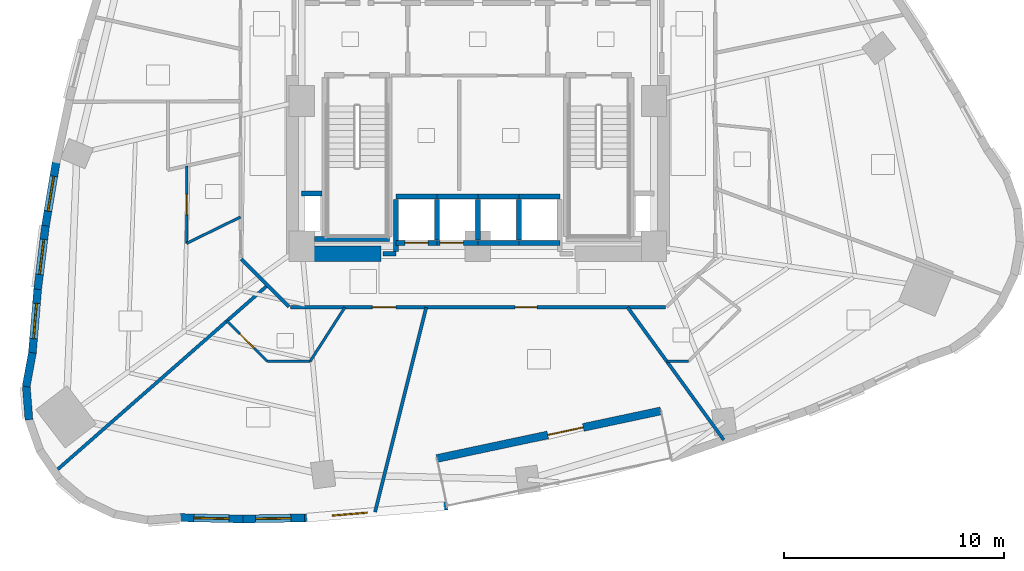
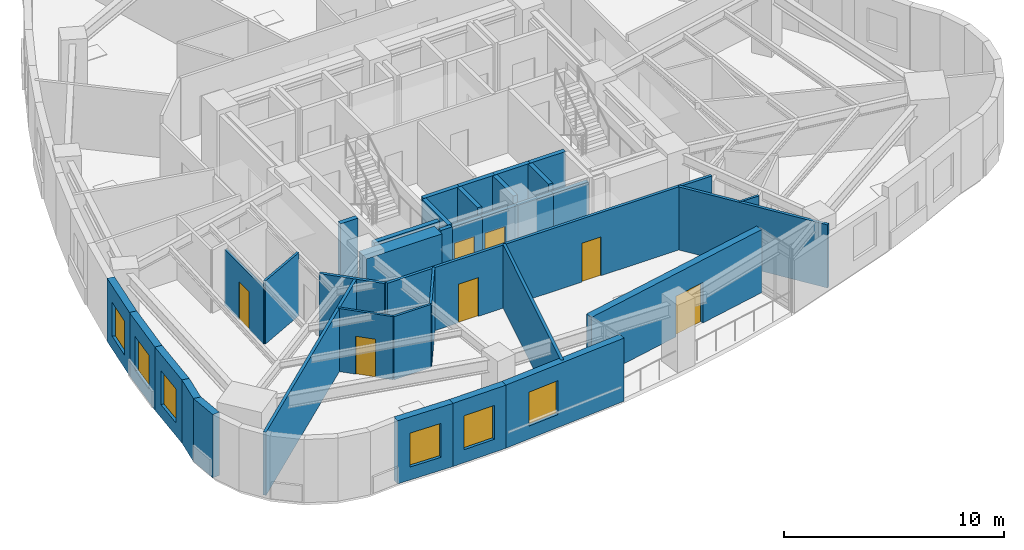
# One storey, part 5 of 12: 36 walls, 7 doors, 6 windows, 13 openings.
"""IFC4 building model written with IfcOpenShell, lengths in metres."""

from ifc_helpers import new_model, si_unit, direction, frame, frame_2d, origin, place, context, subcontext, project, spatial, rectangle, extrude, material, layer, layer_set, type_object, element, fill, save


model = new_model("IFC4")

# Units and contexts
model_context = context("Model", 3, precision=1e-05, world=origin(), true_north=direction((0.0, 1.0)))
body_context = subcontext(model_context, "Body", "Model", "MODEL_VIEW")
ifc_project = project(units=[si_unit("LENGTHUNIT", "METRE"), si_unit("AREAUNIT", "SQUARE_METRE"), si_unit("VOLUMEUNIT", "CUBIC_METRE"), si_unit("PLANEANGLEUNIT", "RADIAN"), si_unit("MASSUNIT", "GRAM", prefix="KILO")], contexts=[model_context])

# Site, building, storey
site_placement = place(None, origin())
site = spatial("IfcSite", under=ifc_project, at=site_placement, CompositionType="ELEMENT")
building_placement = place(site_placement, origin())
building = spatial("IfcBuilding", under=site, at=building_placement, Name="Ndelora Gate Hotel", CompositionType="ELEMENT")
storey_placement = place(building_placement, frame((0.0, 0.0, 75.5)))
storey = spatial("IfcBuildingStorey", under=building, at=storey_placement, Name="L18", CompositionType="ELEMENT", Elevation=75.5)

# Wall, opening, door
ifc_material_1 = material(Name="Clay Brick Masonry", Category="masonry")
ifc_layer_1 = layer(ifc_material_1, 0.360107421875)
ifc_layer_set_1 = layer_set([ifc_layer_1], Name="Clay Brick Masonry")
wall_type_1 = type_object("IfcWallType", Name="WL-BRICK-360", PredefinedType="SOLIDWALL", material=ifc_layer_set_1)
wall_1_placement = place(storey_placement, frame((8.309326171875, -14.081787109375, 0.0), z_axis=(0.0, 0.0, 1.0), x_axis=(-0.978145663611, -0.207920804056, 0.0)))
wall_1 = element("IfcWall", 1, at=wall_1_placement, inside=storey, type_object=wall_type_1, Name="L18 Sky-Garden Loggia Rear Brick Wall", PredefinedType="SOLIDWALL", context=body_context, shape_type="SweptSolid", body=[
    extrude(rectangle(XDim=10.39990234375, YDim=0.360107421875, at=frame_2d((5.199951171875, 0.0))), origin(), (0.0, 0.0, 1.0), 3.5),
])
opening_1_placement = place(wall_1_placement, frame((3.60009765625, 0.0, 0.0)))
opening_1 = element("IfcOpeningElement", 2, at=opening_1_placement, cuts=wall_1, Name="Opening TD1", PredefinedType="OPENING", context=body_context, shape_type="SweptSolid", body=[
    extrude(rectangle(XDim=1.64990234375, YDim=2.25, at=frame_2d((0.824951171875, 1.125))), frame((0.0, 0.18994140625, 0.0), z_axis=(0.0, -1.0, 0.0), x_axis=(1.0, 0.0, 0.0)), (0.0, 0.0, 1.0), 0.380126953125),
])
ifc_material_2 = material(Name="Architectural Bronze Glazed Door", Category="metal")
door_type_1 = type_object("IfcDoorType", Name="DR-TER-1650", OperationType="DOUBLE_DOOR_SINGLE_SWING", PredefinedType="DOOR", material=ifc_material_2)
door_1_placement = place(opening_1_placement, origin())
door_1 = element("IfcDoor", 3, at=door_1_placement, inside=storey, type_object=door_type_1, Name="L18 Sky-Garden Terrace Double Door TD1", OperationType="DOUBLE_DOOR_SINGLE_SWING", OverallHeight=2.25, OverallWidth=1.64990234375, PredefinedType="DOOR", context=body_context, shape_type="SweptSolid", body=[
    extrude(rectangle(XDim=1.64990234375, YDim=2.25, at=frame_2d((0.824951171875, 1.125))), frame((0.0, 0.02490234375, 0.0), z_axis=(0.0, -1.0, 0.0), x_axis=(1.0, 0.0, 0.0)), (0.0, 0.0, 1.0), 0.050048828125),
])
fill(opening_1, door_1)

# Wall, opening, window
wall_2_placement = place(storey_placement, frame((-19.6357421875, -5.670654296875, 0.0), z_axis=(0.0, 0.0, 1.0), x_axis=(0.164870141486, 0.986315282476, 0.0)))
wall_2 = element("IfcWall", 4, at=wall_2_placement, inside=storey, type_object=wall_type_1, Name="L18 Tower Brick Pier-and-Spandrel Wall TWR-18", PredefinedType="SOLIDWALL", context=body_context, shape_type="SweptSolid", body=[
    extrude(rectangle(XDim=2.94091796875, YDim=0.360107421875, at=frame_2d((1.470458984375, 0.0))), origin(), (0.0, 0.0, 1.0), 3.5),
])
opening_2_placement = place(wall_2_placement, frame((0.67041015625, 0.0, 0.719970703125)))
opening_2 = element("IfcOpeningElement", 5, at=opening_2_placement, cuts=wall_2, Name="Opening W01", PredefinedType="OPENING", context=body_context, shape_type="SweptSolid", body=[
    extrude(rectangle(XDim=1.60009765625, YDim=1.8798828125, at=frame_2d((0.800048828125, 0.93994140625))), frame((0.0, 0.18994140625, 0.0), z_axis=(0.0, -1.0, 0.0), x_axis=(1.0, 0.0, 0.0)), (0.0, 0.0, 1.0), 0.380126953125),
])
ifc_material_3 = material(Name="Insulated Low-E Double Glazing in Bronze Aluminium Frame", Category="aluminium")
window_type_1 = type_object("IfcWindowType", Name="WN-DEEP-1600", PartitioningType="SINGLE_PANEL", PredefinedType="WINDOW", material=ifc_material_3)
window_1_placement = place(opening_2_placement, origin())
window_1 = element("IfcWindow", 6, at=window_1_placement, inside=storey, type_object=window_type_1, Name="L18 Deep-Set Brick-Pier Window W01", OverallHeight=1.8798828125, OverallWidth=1.60009765625, PartitioningType="SINGLE_PANEL", PredefinedType="WINDOW", context=body_context, shape_type="SweptSolid", body=[
    extrude(rectangle(XDim=1.60009765625, YDim=1.8798828125, at=frame_2d((0.800048828125, 0.93994140625))), frame((0.0, 0.030029296875, 0.0), z_axis=(0.0, -1.0, 0.0), x_axis=(1.0, 0.0, 0.0)), (0.0, 0.0, 1.0), 0.06005859375),
])
fill(opening_2, window_1)

wall_3_placement = place(storey_placement, frame((-19.9951171875, -8.559814453125, 0.0), z_axis=(0.0, 0.0, 1.0), x_axis=(0.123740486397, 0.99231461343, 0.0)))
wall_3 = element("IfcWall", 7, at=wall_3_placement, inside=storey, type_object=wall_type_1, Name="L18 Tower Brick Pier-and-Spandrel Wall TWR-19", PredefinedType="SOLIDWALL", context=body_context, shape_type="SweptSolid", body=[
    extrude(rectangle(XDim=2.96142578125, YDim=0.360107421875, at=frame_2d((1.480712890625, 0.0))), origin(), (0.0, 0.0, 1.0), 3.5),
])
opening_3_placement = place(wall_3_placement, frame((0.6806640625, 0.0, 0.719970703125)))
opening_3 = element("IfcOpeningElement", 8, at=opening_3_placement, cuts=wall_3, Name="Opening W01", PredefinedType="OPENING", context=body_context, shape_type="SweptSolid", body=[
    extrude(rectangle(XDim=1.60009765625, YDim=1.8798828125, at=frame_2d((0.800048828125, 0.93994140625))), frame((0.0, 0.18994140625, 0.0), z_axis=(0.0, -1.0, 0.0), x_axis=(1.0, 0.0, 0.0)), (0.0, 0.0, 1.0), 0.380126953125),
])
window_2_placement = place(opening_3_placement, origin())
window_2 = element("IfcWindow", 9, at=window_2_placement, inside=storey, type_object=window_type_1, Name="L18 Deep-Set Brick-Pier Window W01", OverallHeight=1.8798828125, OverallWidth=1.60009765625, PartitioningType="SINGLE_PANEL", PredefinedType="WINDOW", context=body_context, shape_type="SweptSolid", body=[
    extrude(rectangle(XDim=1.60009765625, YDim=1.8798828125, at=frame_2d((0.800048828125, 0.93994140625))), frame((0.0, 0.030029296875, 0.0), z_axis=(0.0, -1.0, 0.0), x_axis=(1.0, 0.0, 0.0)), (0.0, 0.0, 1.0), 0.06005859375),
])
fill(opening_3, window_2)

wall_4_placement = place(storey_placement, frame((-20.23828125, -11.486572265625, 0.0), z_axis=(0.0, 0.0, 1.0), x_axis=(0.083126652996, 0.996538990487, 0.0)))
wall_4 = element("IfcWall", 10, at=wall_4_placement, inside=storey, type_object=wall_type_1, Name="L18 Tower Brick Pier-and-Spandrel Wall TWR-20", PredefinedType="SOLIDWALL", context=body_context, shape_type="SweptSolid", body=[
    extrude(rectangle(XDim=2.98681640625, YDim=0.360107421875, at=frame_2d((1.493408203125, 0.0))), origin(), (0.0, 0.0, 1.0), 3.5),
])
opening_4_placement = place(wall_4_placement, frame((0.693603515625, 0.0, 0.719970703125)))
opening_4 = element("IfcOpeningElement", 11, at=opening_4_placement, cuts=wall_4, Name="Opening W01", PredefinedType="OPENING", context=body_context, shape_type="SweptSolid", body=[
    extrude(rectangle(XDim=1.60009765625, YDim=1.8798828125, at=frame_2d((0.800048828125, 0.93994140625))), frame((0.0, 0.18994140625, 0.0), z_axis=(0.0, -1.0, 0.0), x_axis=(1.0, 0.0, 0.0)), (0.0, 0.0, 1.0), 0.380126953125),
])
window_3_placement = place(opening_4_placement, origin())
window_3 = element("IfcWindow", 12, at=window_3_placement, inside=storey, type_object=window_type_1, Name="L18 Deep-Set Brick-Pier Window W01", OverallHeight=1.8798828125, OverallWidth=1.60009765625, PartitioningType="SINGLE_PANEL", PredefinedType="WINDOW", context=body_context, shape_type="SweptSolid", body=[
    extrude(rectangle(XDim=1.60009765625, YDim=1.8798828125, at=frame_2d((0.800048828125, 0.93994140625))), frame((0.0, 0.030029296875, 0.0), z_axis=(0.0, -1.0, 0.0), x_axis=(1.0, 0.0, 0.0)), (0.0, 0.0, 1.0), 0.06005859375),
])
fill(opening_4, window_3)

# Walls
for number, where, z_axis, x_axis, name in (
    (13, (-20.516845703125, -12.97509765625, 0.0), (0.0, 0.0, 1.0), (0.18229045082, 0.983244726169, 0.0), "L18 Tower Brick Pier-and-Spandrel Wall TWR-21"),
    (14, (-20.391357421875, -14.48486328125, 0.0), (0.0, 0.0, 1.0), (-0.078510627557, 0.99691327675, 0.0), "L18 Tower Brick Pier-and-Spandrel Wall TWR-22"),
):
    element("IfcWall", number, at=place(storey_placement, frame(where, z_axis=z_axis, x_axis=x_axis)), inside=storey, type_object=wall_type_1, Name=name, PredefinedType="SOLIDWALL", context=body_context, shape_type="SweptSolid", body=[
        extrude(rectangle(XDim=1.564208984375, YDim=0.360107421875, at=frame_2d((0.7822265625, 0.0))), origin(), (0.0, 0.0, 1.0), 3.5),
    ])

# Wall, opening, window
wall_5_placement = place(storey_placement, frame((-10.669921875, -18.99072265625, 0.0), z_axis=(0.0, 0.0, 1.0), x_axis=(-0.999751621908, 0.02228664383, 0.0)))
wall_5 = element("IfcWall", 15, at=wall_5_placement, inside=storey, type_object=wall_type_1, Name="L18 Tower Brick Pier-and-Spandrel Wall TWR-29", PredefinedType="SOLIDWALL", context=body_context, shape_type="SweptSolid", body=[
    extrude(rectangle(XDim=2.8701171875, YDim=0.360107421875, at=frame_2d((1.43505859375, 0.0))), origin(), (0.0, 0.0, 1.0), 3.5),
])
opening_5_placement = place(wall_5_placement, frame((0.635009765625, 0.0, 0.719970703125)))
opening_5 = element("IfcOpeningElement", 16, at=opening_5_placement, cuts=wall_5, Name="Opening W03", PredefinedType="OPENING", context=body_context, shape_type="SweptSolid", body=[
    extrude(rectangle(XDim=1.60009765625, YDim=1.8798828125, at=frame_2d((0.800048828125, 0.93994140625))), frame((0.0, 0.18994140625, 0.0), z_axis=(0.0, -1.0, 0.0), x_axis=(1.0, 0.0, 0.0)), (0.0, 0.0, 1.0), 0.380126953125),
])
window_type_2 = type_object("IfcWindowType", Name="WN-CORN-2100", PartitioningType="SINGLE_PANEL", PredefinedType="WINDOW", material=ifc_material_3)
window_4_placement = place(opening_5_placement, origin())
window_4 = element("IfcWindow", 17, at=window_4_placement, inside=storey, type_object=window_type_2, Name="L18 Deep-Set Brick-Pier Window W03", OverallHeight=1.8798828125, OverallWidth=1.60009765625, PartitioningType="SINGLE_PANEL", PredefinedType="WINDOW", context=body_context, shape_type="SweptSolid", body=[
    extrude(rectangle(XDim=1.60009765625, YDim=1.8798828125, at=frame_2d((0.800048828125, 0.93994140625))), frame((0.0, 0.030029296875, 0.0), z_axis=(0.0, -1.0, 0.0), x_axis=(1.0, 0.0, 0.0)), (0.0, 0.0, 1.0), 0.06005859375),
])
fill(opening_5, window_4)

wall_6_placement = place(storey_placement, frame((-7.8740234375, -18.9423828125, 0.0), z_axis=(0.0, 0.0, 1.0), x_axis=(-0.999857230365, -0.016897304142, 0.0)))
wall_6 = element("IfcWall", 18, at=wall_6_placement, inside=storey, type_object=wall_type_1, Name="L18 Tower Brick Pier-and-Spandrel Wall TWR-30", PredefinedType="SOLIDWALL", context=body_context, shape_type="SweptSolid", body=[
    extrude(rectangle(XDim=2.846435546875, YDim=0.360107421875, at=frame_2d((1.42333984375, 0.0))), origin(), (0.0, 0.0, 1.0), 3.5),
])
opening_6_placement = place(wall_6_placement, frame((0.623291015625, 0.0, 0.719970703125)))
opening_6 = element("IfcOpeningElement", 19, at=opening_6_placement, cuts=wall_6, Name="Opening W01", PredefinedType="OPENING", context=body_context, shape_type="SweptSolid", body=[
    extrude(rectangle(XDim=1.60009765625, YDim=1.8798828125, at=frame_2d((0.800048828125, 0.93994140625))), frame((0.0, 0.18994140625, 0.0), z_axis=(0.0, -1.0, 0.0), x_axis=(1.0, 0.0, 0.0)), (0.0, 0.0, 1.0), 0.380126953125),
])
window_5_placement = place(opening_6_placement, origin())
window_5 = element("IfcWindow", 20, at=window_5_placement, inside=storey, type_object=window_type_1, Name="L18 Deep-Set Brick-Pier Window W01", OverallHeight=1.8798828125, OverallWidth=1.60009765625, PartitioningType="SINGLE_PANEL", PredefinedType="WINDOW", context=body_context, shape_type="SweptSolid", body=[
    extrude(rectangle(XDim=1.60009765625, YDim=1.8798828125, at=frame_2d((0.800048828125, 0.93994140625))), frame((0.0, 0.030029296875, 0.0), z_axis=(0.0, -1.0, 0.0), x_axis=(1.0, 0.0, 0.0)), (0.0, 0.0, 1.0), 0.06005859375),
])
fill(opening_6, window_5)

wall_7_placement = place(storey_placement, frame((-1.381103515625, -18.39404296875, 0.0), z_axis=(0.0, 0.0, 1.0), x_axis=(-0.996472288139, -0.083922458089, 0.0)))
wall_7 = element("IfcWall", 21, at=wall_7_placement, inside=storey, type_object=wall_type_1, Name="L18 Tower Brick Pier-and-Spandrel Wall TWR-31", PredefinedType="SOLIDWALL", context=body_context, shape_type="SweptSolid", body=[
    extrude(rectangle(XDim=6.56591796875, YDim=0.360107421875, at=frame_2d((3.282958984375, 0.0))), origin(), (0.0, 0.0, 1.0), 3.5),
])
opening_7_placement = place(wall_7_placement, frame((3.659912109375, 0.0, 0.719970703125)))
opening_7 = element("IfcOpeningElement", 22, at=opening_7_placement, cuts=wall_7, Name="Opening W01", PredefinedType="OPENING", context=body_context, shape_type="SweptSolid", body=[
    extrude(rectangle(XDim=1.60009765625, YDim=1.8798828125, at=frame_2d((0.800048828125, 0.93994140625))), frame((0.0, 0.18994140625, 0.0), z_axis=(0.0, -1.0, 0.0), x_axis=(1.0, 0.0, 0.0)), (0.0, 0.0, 1.0), 0.380126953125),
])
window_6_placement = place(opening_7_placement, origin())
window_6 = element("IfcWindow", 23, at=window_6_placement, inside=storey, type_object=window_type_1, Name="L18 Deep-Set Brick-Pier Window W01", OverallHeight=1.8798828125, OverallWidth=1.60009765625, PartitioningType="SINGLE_PANEL", PredefinedType="WINDOW", context=body_context, shape_type="SweptSolid", body=[
    extrude(rectangle(XDim=1.60009765625, YDim=1.8798828125, at=frame_2d((0.800048828125, 0.93994140625))), frame((0.0, 0.030029296875, 0.0), z_axis=(0.0, -1.0, 0.0), x_axis=(1.0, 0.0, 0.0)), (0.0, 0.0, 1.0), 0.06005859375),
])
fill(opening_7, window_6)

# Walls
ifc_material_4 = material(Name="Concrete C60/75", Category="concrete")
ifc_layer_2 = layer(ifc_material_4, 0.699951171875)
ifc_layer_set_2 = layer_set([ifc_layer_2], Name="Concrete C60/75")
wall_type_2 = type_object("IfcWallType", Name="WL-CORE-700", PredefinedType="SHEAR", material=ifc_layer_set_2)
wall_8_placement = place(storey_placement, frame((-8.35009765625, -6.949951171875, 0.0), z_axis=(0.0, 0.0, 1.0), x_axis=(1.0, 0.0, 0.0)))
element("IfcWall", 24, at=wall_8_placement, inside=storey, type_object=wall_type_2, Name="L18 Core Shear Wall S-W", PredefinedType="SHEAR", context=body_context, shape_type="SweptSolid", body=[
    extrude(rectangle(XDim=3.9501953125, YDim=0.699951171875, at=frame_2d((1.97509765625, 0.0))), origin(), (0.0, 0.0, 1.0), 3.5),
])
ifc_material_5 = material(Name="Concrete C40/50", Category="concrete")
ifc_layer_3 = layer(ifc_material_5, 0.199951171875)
ifc_layer_set_3 = layer_set([ifc_layer_3], Name="Concrete C40/50")
wall_type_3 = type_object("IfcWallType", Name="WL-FIRE-200", PredefinedType="PARTITIONING", material=ifc_layer_set_3)
wall_9_placement = place(storey_placement, frame((-4.320068359375, -6.949951171875, 0.0), z_axis=(0.0, 0.0, 1.0), x_axis=(1.0, 0.0, 0.0)))
element("IfcWall", 25, at=wall_9_placement, inside=storey, type_object=wall_type_3, Name="L18 Interior Wall IW-2", PredefinedType="PARTITIONING", context=body_context, shape_type="SweptSolid", body=[
    extrude(rectangle(XDim=0.60009765625, YDim=0.199951171875, at=frame_2d((0.300048828125, 0.0))), origin(), (0.0, 0.0, 1.0), 3.5),
])

# Wall, openings, doors
ifc_material_6 = material(Name="Fire-Rated Gypsum Stud Partition", Category="gypsum")
ifc_layer_4 = layer(ifc_material_6, 0.14990234375)
ifc_layer_set_4 = layer_set([ifc_layer_4], Name="Fire-Rated Gypsum Stud Partition")
wall_type_4 = type_object("IfcWallType", Name="WL-PART-150", PredefinedType="PARTITIONING", material=ifc_layer_set_4)
wall_10_placement = place(storey_placement, frame((8.510009765625, -9.3798828125, 0.0), z_axis=(0.0, 0.0, 1.0), x_axis=(-1.0, 0.0, 0.0)))
wall_10 = element("IfcWall", 26, at=wall_10_placement, inside=storey, type_object=wall_type_4, Name="L18 Interior Wall IW-5", PredefinedType="PARTITIONING", context=body_context, shape_type="SweptSolid", body=[
    extrude(rectangle(XDim=17.02001953125, YDim=0.14990234375, at=frame_2d((8.510009765625, 0.0))), origin(), (0.0, 0.0, 1.0), 3.5),
])
opening_8_placement = place(wall_10_placement, frame((5.815185546875, 0.0, 0.0)))
opening_8 = element("IfcOpeningElement", 27, at=opening_8_placement, cuts=wall_10, Name="Opening D01", PredefinedType="OPENING", context=body_context, shape_type="SweptSolid", body=[
    extrude(rectangle(XDim=1.0, YDim=2.14990234375, at=frame_2d((0.5, 1.074951171875))), frame((0.0, 0.0849609375, 0.0), z_axis=(0.0, -1.0, 0.0), x_axis=(1.0, 0.0, 0.0)), (0.0, 0.0, 1.0), 0.169921875),
])
opening_9_placement = place(wall_10_placement, frame((12.23779296875, 0.0, 0.0)))
opening_9 = element("IfcOpeningElement", 28, at=opening_9_placement, cuts=wall_10, Name="Opening D07", PredefinedType="OPENING", context=body_context, shape_type="SweptSolid", body=[
    extrude(rectangle(XDim=1.06005859375, YDim=2.14990234375, at=frame_2d((0.530029296875, 1.074951171875))), frame((0.0, 0.0849609375, 0.0), z_axis=(0.0, -1.0, 0.0), x_axis=(1.0, 0.0, 0.0)), (0.0, 0.0, 1.0), 0.169921875),
])
ifc_material_7 = material(Name="Acoustic Hardwood Guest Entrance Door", Category="wood")
door_type_2 = type_object("IfcDoorType", Name="DR-COR-1000", OperationType="SINGLE_SWING_LEFT", PredefinedType="DOOR", material=ifc_material_7)
door_2_placement = place(opening_8_placement, origin())
door_2 = element("IfcDoor", 29, at=door_2_placement, inside=storey, type_object=door_type_2, Name="L18 Sky Garden Tea Dining Room Entrance Door", OperationType="SINGLE_SWING_LEFT", OverallHeight=2.14990234375, OverallWidth=1.0, PredefinedType="DOOR", context=body_context, shape_type="SweptSolid", body=[
    extrude(rectangle(XDim=1.0, YDim=2.14990234375, at=frame_2d((0.5, 1.074951171875))), frame((0.0, 0.02490234375, 0.0), z_axis=(0.0, -1.0, 0.0), x_axis=(1.0, 0.0, 0.0)), (0.0, 0.0, 1.0), 0.050048828125),
])
fill(opening_8, door_2)
ifc_material_8 = material(Name="Diplomatic Suite Acoustic Entrance Door", Category="wood")
door_type_3 = type_object("IfcDoorType", Name="DR-SUITE-1060", OperationType="SINGLE_SWING_LEFT", PredefinedType="DOOR", material=ifc_material_8)
door_3_placement = place(opening_9_placement, origin())
door_3 = element("IfcDoor", 30, at=door_3_placement, inside=storey, type_object=door_type_3, Name="L18 Corner Executive Suite 2102 Entrance Door", OperationType="SINGLE_SWING_LEFT", OverallHeight=2.14990234375, OverallWidth=1.06005859375, PredefinedType="DOOR", context=body_context, shape_type="SweptSolid", body=[
    extrude(rectangle(XDim=1.06005859375, YDim=2.14990234375, at=frame_2d((0.530029296875, 1.074951171875))), frame((0.0, 0.02490234375, 0.0), z_axis=(0.0, -1.0, 0.0), x_axis=(1.0, 0.0, 0.0)), (0.0, 0.0, 1.0), 0.050048828125),
])
fill(opening_9, door_3)

# Walls
wall_11_placement = place(storey_placement, frame((-8.578369140625, -9.351806640625, 0.0), z_axis=(0.0, 0.0, 1.0), x_axis=(-0.707067066127, 0.707146494016, 0.0)))
element("IfcWall", 31, at=wall_11_placement, inside=storey, type_object=wall_type_4, Name="L18 Interior Wall IW-5", PredefinedType="PARTITIONING", context=body_context, shape_type="SweptSolid", body=[
    extrude(rectangle(XDim=3.07373046875, YDim=0.14990234375, at=frame_2d((1.536865234375, 0.0))), origin(), (0.0, 0.0, 1.0), 3.5),
])
wall_12_placement = place(storey_placement, frame((-9.552490234375, -8.37744140625, 0.0), z_axis=(0.0, 0.0, 1.0), x_axis=(-0.751837697968, -0.659348220529, 0.0)))
element("IfcWall", 32, at=wall_12_placement, inside=storey, type_object=wall_type_4, Name="L18 Interior Wall IW-5", PredefinedType="PARTITIONING", context=body_context, shape_type="SweptSolid", body=[
    extrude(rectangle(XDim=12.8603515625, YDim=0.14990234375, at=frame_2d((6.43017578125, 0.0))), origin(), (0.0, 0.0, 1.0), 3.5),
])
wall_13_placement = place(storey_placement, frame((-2.34521484375, -9.3798828125, 0.0), z_axis=(0.0, 0.0, 1.0), x_axis=(-0.242559617753, -0.970136501651, 0.0)))
element("IfcWall", 33, at=wall_13_placement, inside=storey, type_object=wall_type_4, Name="L18 Interior Wall IW-5", PredefinedType="PARTITIONING", context=body_context, shape_type="SweptSolid", body=[
    extrude(rectangle(XDim=9.576904296875, YDim=0.14990234375, at=frame_2d((4.78857421875, 0.0))), origin(), (0.0, 0.0, 1.0), 3.5),
])
wall_14_placement = place(storey_placement, frame((6.802490234375, -9.3798828125, 0.0), z_axis=(0.0, 0.0, 1.0), x_axis=(0.587044518105, -0.809554651499, 0.0)))
element("IfcWall", 34, at=wall_14_placement, inside=storey, type_object=wall_type_4, Name="L18 Interior Wall IW-5", PredefinedType="PARTITIONING", context=body_context, shape_type="SweptSolid", body=[
    extrude(rectangle(XDim=7.434814453125, YDim=0.14990234375, at=frame_2d((3.71728515625, 0.0))), origin(), (0.0, 0.0, 1.0), 3.5),
])
ifc_layer_5 = layer(ifc_material_5, 0.219970703125)
ifc_layer_set_5 = layer_set([ifc_layer_5], Name="Concrete C40/50")
wall_type_5 = type_object("IfcWallType", Name="WL-SHAFT-220", PredefinedType="PARTITIONING", material=ifc_layer_set_5)
wall_15_placement = place(storey_placement, frame((-8.0, -4.199951171875, 0.0), z_axis=(0.0, 0.0, 1.0), x_axis=(1.0, 0.0, 0.0)))
element("IfcWall", 35, at=wall_15_placement, inside=storey, type_object=wall_type_5, Name="L18 Interior Wall IW-1", PredefinedType="PARTITIONING", context=body_context, shape_type="SweptSolid", body=[
    extrude(rectangle(XDim=0.909912109375, YDim=0.219970703125, at=frame_2d((0.455078125, 0.0))), origin(), (0.0, 0.0, 1.0), 3.5),
])

# Wall, opening, door
wall_16_placement = place(storey_placement, frame((-3.719970703125, -6.449951171875, 0.0), z_axis=(0.0, 0.0, 1.0), x_axis=(1.0, 0.0, 0.0)))
wall_16 = element("IfcWall", 36, at=wall_16_placement, inside=storey, type_object=wall_type_5, Name="L18 Interior Wall IW-1", PredefinedType="PARTITIONING", context=body_context, shape_type="SweptSolid", body=[
    extrude(rectangle(XDim=1.85986328125, YDim=0.219970703125, at=frame_2d((0.929931640625, 0.0))), origin(), (0.0, 0.0, 1.0), 3.080078125),
])
opening_10_placement = place(wall_16_placement, frame((0.39990234375, 0.0, 0.0)))
opening_10 = element("IfcOpeningElement", 37, at=opening_10_placement, cuts=wall_16, Name="Opening LD1", PredefinedType="OPENING", context=body_context, shape_type="SweptSolid", body=[
    extrude(rectangle(XDim=1.06005859375, YDim=2.14990234375, at=frame_2d((0.530029296875, 1.074951171875))), frame((0.0, 0.1201171875, 0.0), z_axis=(0.0, -1.0, 0.0), x_axis=(1.0, 0.0, 0.0)), (0.0, 0.0, 1.0), 0.239990234375),
])
ifc_material_9 = material(Name="Brushed Bronze Stainless Lift Landing Door", Category="metal")
door_type_4 = type_object("IfcDoorType", Name="DR-LD1", OperationType="DOUBLE_DOOR_SLIDING", PredefinedType="DOOR", material=ifc_material_9)
door_4_placement = place(opening_10_placement, origin())
door_4 = element("IfcDoor", 38, at=door_4_placement, inside=storey, type_object=door_type_4, Name="L18 Lift Landing Sliding Door P1A", OperationType="DOUBLE_DOOR_SLIDING", OverallHeight=2.14990234375, OverallWidth=1.06005859375, PredefinedType="DOOR", context=body_context, shape_type="SweptSolid", body=[
    extrude(rectangle(XDim=1.06005859375, YDim=2.14990234375, at=frame_2d((0.530029296875, 1.074951171875))), frame((0.0, 0.02490234375, 0.0), z_axis=(0.0, -1.0, 0.0), x_axis=(1.0, 0.0, 0.0)), (0.0, 0.0, 1.0), 0.050048828125),
])
fill(opening_10, door_4)

# Walls
wall_17_placement = place(storey_placement, frame((-3.719970703125, -4.35009765625, 0.0), z_axis=(0.0, 0.0, 1.0), x_axis=(1.0, 0.0, 0.0)))
element("IfcWall", 39, at=wall_17_placement, inside=storey, type_object=wall_type_5, Name="L18 Interior Wall IW-1", PredefinedType="PARTITIONING", context=body_context, shape_type="SweptSolid", body=[
    extrude(rectangle(XDim=1.85986328125, YDim=0.219970703125, at=frame_2d((0.929931640625, 0.0))), origin(), (0.0, 0.0, 1.0), 3.5),
])
wall_18_placement = place(storey_placement, frame((-3.719970703125, -6.830078125, 0.0), z_axis=(0.0, 0.0, 1.0), x_axis=(0.0, 1.0, 0.0)))
element("IfcWall", 40, at=wall_18_placement, inside=storey, type_object=wall_type_5, Name="L18 Interior Wall IW-1", PredefinedType="PARTITIONING", context=body_context, shape_type="SweptSolid", body=[
    extrude(rectangle(XDim=2.360107421875, YDim=0.219970703125, at=frame_2d((1.18017578125, 0.0))), origin(), (0.0, 0.0, 1.0), 3.5),
])
wall_19_placement = place(storey_placement, frame((-1.860107421875, -6.330078125, 0.0), z_axis=(0.0, 0.0, 1.0), x_axis=(0.0, 1.0, 0.0)))
element("IfcWall", 41, at=wall_19_placement, inside=storey, type_object=wall_type_5, Name="L18 Interior Wall IW-1", PredefinedType="PARTITIONING", context=body_context, shape_type="SweptSolid", body=[
    extrude(rectangle(XDim=1.860107421875, YDim=0.219970703125, at=frame_2d((0.93017578125, 0.0))), origin(), (0.0, 0.0, 1.0), 3.5),
])

# Wall, opening, door
wall_20_placement = place(storey_placement, frame((-1.860107421875, -6.449951171875, 0.0), z_axis=(0.0, 0.0, 1.0), x_axis=(1.0, 0.0, 0.0)))
wall_20 = element("IfcWall", 42, at=wall_20_placement, inside=storey, type_object=wall_type_5, Name="L18 Interior Wall IW-1", PredefinedType="PARTITIONING", context=body_context, shape_type="SweptSolid", body=[
    extrude(rectangle(XDim=1.860107421875, YDim=0.219970703125, at=frame_2d((0.93017578125, 0.0))), origin(), (0.0, 0.0, 1.0), 3.080078125),
])
opening_11_placement = place(wall_20_placement, frame((0.139892578125, 0.0, 0.0)))
opening_11 = element("IfcOpeningElement", 43, at=opening_11_placement, cuts=wall_20, Name="Opening LD1", PredefinedType="OPENING", context=body_context, shape_type="SweptSolid", body=[
    extrude(rectangle(XDim=1.06005859375, YDim=2.14990234375, at=frame_2d((0.530029296875, 1.074951171875))), frame((0.0, 0.1201171875, 0.0), z_axis=(0.0, -1.0, 0.0), x_axis=(1.0, 0.0, 0.0)), (0.0, 0.0, 1.0), 0.239990234375),
])
door_5_placement = place(opening_11_placement, origin())
door_5 = element("IfcDoor", 44, at=door_5_placement, inside=storey, type_object=door_type_4, Name="L18 Lift Landing Sliding Door P1B", OperationType="DOUBLE_DOOR_SLIDING", OverallHeight=2.14990234375, OverallWidth=1.06005859375, PredefinedType="DOOR", context=body_context, shape_type="SweptSolid", body=[
    extrude(rectangle(XDim=1.06005859375, YDim=2.14990234375, at=frame_2d((0.530029296875, 1.074951171875))), frame((0.0, 0.02490234375, 0.0), z_axis=(0.0, -1.0, 0.0), x_axis=(1.0, 0.0, 0.0)), (0.0, 0.0, 1.0), 0.050048828125),
])
fill(opening_11, door_5)

# Walls
for number, where, z_axis, x_axis, name in (
    (45, (-1.860107421875, -4.35009765625, 0.0), (0.0, 0.0, 1.0), (1.0, 0.0, 0.0), "L18 Interior Wall IW-1"),
    (46, (0.0, -6.330078125, 0.0), (0.0, 0.0, 1.0), (0.0, 1.0, 0.0), "L18 Interior Wall IW-1"),
):
    element("IfcWall", number, at=place(storey_placement, frame(where, z_axis=z_axis, x_axis=x_axis)), inside=storey, type_object=wall_type_5, Name=name, PredefinedType="PARTITIONING", context=body_context, shape_type="SweptSolid", body=[
        extrude(rectangle(XDim=1.860107421875, YDim=0.219970703125, at=frame_2d((0.93017578125, 0.0))), origin(), (0.0, 0.0, 1.0), 3.5),
    ])
wall_21_placement = place(storey_placement, frame((0.0, -6.449951171875, 0.0), z_axis=(0.0, 0.0, 1.0), x_axis=(1.0, 0.0, 0.0)))
element("IfcWall", 47, at=wall_21_placement, inside=storey, type_object=wall_type_5, Name="L18 Interior Wall IW-1", PredefinedType="PARTITIONING", context=body_context, shape_type="SweptSolid", body=[
    extrude(rectangle(XDim=1.860107421875, YDim=0.219970703125, at=frame_2d((0.93017578125, 0.0))), origin(), (0.0, 0.0, 1.0), 3.080078125),
])
for number, where, z_axis, x_axis, name in (
    (48, (0.0, -4.35009765625, 0.0), (0.0, 0.0, 1.0), (1.0, 0.0, 0.0), "L18 Interior Wall IW-1"),
    (49, (1.860107421875, -6.330078125, 0.0), (0.0, 0.0, 1.0), (0.0, 1.0, 0.0), "L18 Interior Wall IW-1"),
):
    element("IfcWall", number, at=place(storey_placement, frame(where, z_axis=z_axis, x_axis=x_axis)), inside=storey, type_object=wall_type_5, Name=name, PredefinedType="PARTITIONING", context=body_context, shape_type="SweptSolid", body=[
        extrude(rectangle(XDim=1.860107421875, YDim=0.219970703125, at=frame_2d((0.93017578125, 0.0))), origin(), (0.0, 0.0, 1.0), 3.5),
    ])
wall_22_placement = place(storey_placement, frame((1.860107421875, -6.449951171875, 0.0), z_axis=(0.0, 0.0, 1.0), x_axis=(1.0, 0.0, 0.0)))
element("IfcWall", 50, at=wall_22_placement, inside=storey, type_object=wall_type_5, Name="L18 Interior Wall IW-1", PredefinedType="PARTITIONING", context=body_context, shape_type="SweptSolid", body=[
    extrude(rectangle(XDim=1.85986328125, YDim=0.219970703125, at=frame_2d((0.929931640625, 0.0))), origin(), (0.0, 0.0, 1.0), 3.080078125),
])
wall_23_placement = place(storey_placement, frame((1.860107421875, -4.35009765625, 0.0), z_axis=(0.0, 0.0, 1.0), x_axis=(1.0, 0.0, 0.0)))
element("IfcWall", 51, at=wall_23_placement, inside=storey, type_object=wall_type_5, Name="L18 Interior Wall IW-1", PredefinedType="PARTITIONING", context=body_context, shape_type="SweptSolid", body=[
    extrude(rectangle(XDim=1.85986328125, YDim=0.219970703125, at=frame_2d((0.929931640625, 0.0))), origin(), (0.0, 0.0, 1.0), 3.5),
])
ifc_material_10 = material(Name="Concrete C50/60", Category="concrete")
ifc_layer_6 = layer(ifc_material_10, 0.239990234375)
ifc_layer_set_6 = layer_set([ifc_layer_6], Name="Concrete C50/60")
wall_type_6 = type_object("IfcWallType", Name="WL-STAIR-240", PredefinedType="SHEAR", material=ifc_layer_set_6)
wall_24_placement = place(storey_placement, frame((-7.425048828125, -6.27001953125, 0.0), z_axis=(0.0, 0.0, 1.0), x_axis=(1.0, 0.0, 0.0)))
element("IfcWall", 52, at=wall_24_placement, inside=storey, type_object=wall_type_6, Name="L18 Stair Core Shear Wall SW-ST", PredefinedType="SHEAR", context=body_context, shape_type="SweptSolid", body=[
    extrude(rectangle(XDim=3.4150390625, YDim=0.239990234375, at=frame_2d((1.70751953125, 0.0))), origin(), (0.0, 0.0, 1.0), 3.5),
])
ifc_material_11 = material(Name="Moisture-Resistant Bathroom Tile Partition", Category="gypsum")
ifc_layer_7 = layer(ifc_material_11, 0.1201171875)
ifc_layer_set_7 = layer_set([ifc_layer_7], Name="Moisture-Resistant Bathroom Tile Partition")
wall_type_7 = type_object("IfcWallType", Name="WL-WET-120", PredefinedType="PARTITIONING", material=ifc_layer_set_7)
wall_25_placement = place(storey_placement, frame((-10.780029296875, -5.273193359375, 0.0), z_axis=(0.0, 0.0, 1.0), x_axis=(-0.898278372968, -0.439426859282, 0.0)))
element("IfcWall", 53, at=wall_25_placement, inside=storey, type_object=wall_type_7, Name="L18 Interior Wall IW-7", PredefinedType="PARTITIONING", context=body_context, shape_type="SweptSolid", body=[
    extrude(rectangle(XDim=2.727294921875, YDim=0.1201171875, at=frame_2d((1.36376953125, 0.0))), origin(), (0.0, 0.0, 1.0), 3.5),
])

# Wall, opening, door
wall_26_placement = place(storey_placement, frame((-13.22998046875, -6.4716796875, 0.0), z_axis=(0.0, 0.0, 1.0), x_axis=(0.0, 1.0, 0.0)))
wall_26 = element("IfcWall", 54, at=wall_26_placement, inside=storey, type_object=wall_type_7, Name="L18 Interior Wall IW-7", PredefinedType="PARTITIONING", context=body_context, shape_type="SweptSolid", body=[
    extrude(rectangle(XDim=3.522705078125, YDim=0.1201171875, at=frame_2d((1.76123046875, 0.0))), origin(), (0.0, 0.0, 1.0), 3.1201171875),
])
opening_12_placement = place(wall_26_placement, frame((1.30126953125, 0.0, 0.0)))
opening_12 = element("IfcOpeningElement", 55, at=opening_12_placement, cuts=wall_26, Name="Opening D03", PredefinedType="OPENING", context=body_context, shape_type="SweptSolid", body=[
    extrude(rectangle(XDim=0.919921875, YDim=2.10009765625, at=frame_2d((0.4599609375, 1.050048828125))), frame((0.0, 0.070068359375, 0.0), z_axis=(0.0, -1.0, 0.0), x_axis=(1.0, 0.0, 0.0)), (0.0, 0.0, 1.0), 0.14013671875),
])
ifc_material_12 = material(Name="Moisture-Resistant Hardwood En-Suite Door", Category="wood")
door_type_5 = type_object("IfcDoorType", Name="DR-BATH-920", OperationType="SINGLE_SWING_LEFT", PredefinedType="DOOR", material=ifc_material_12)
door_6_placement = place(opening_12_placement, origin())
door_6 = element("IfcDoor", 56, at=door_6_placement, inside=storey, type_object=door_type_5, Name="L18 En-suite Bathroom 2101 Door", OperationType="SINGLE_SWING_RIGHT", OverallHeight=2.10009765625, OverallWidth=0.919921875, PredefinedType="DOOR", context=body_context, shape_type="SweptSolid", body=[
    extrude(rectangle(XDim=0.919921875, YDim=2.10009765625, at=frame_2d((0.4599609375, 1.050048828125))), frame((0.0, 0.02490234375, 0.0), z_axis=(0.0, -1.0, 0.0), x_axis=(1.0, 0.0, 0.0)), (0.0, 0.0, 1.0), 0.050048828125),
])
fill(opening_12, door_6)

# Walls
wall_27_placement = place(storey_placement, frame((-7.61865234375, -11.830078125, 0.0), z_axis=(0.0, 0.0, 1.0), x_axis=(0.541367176674, 0.840786286769, 0.0)))
element("IfcWall", 57, at=wall_27_placement, inside=storey, type_object=wall_type_7, Name="L18 Interior Wall IW-7", PredefinedType="PARTITIONING", context=body_context, shape_type="SweptSolid", body=[
    extrude(rectangle(XDim=2.9140625, YDim=0.1201171875, at=frame_2d((1.45703125, 0.0))), origin(), (0.0, 0.0, 1.0), 3.5),
])
wall_28_placement = place(storey_placement, frame((-7.61865234375, -11.830078125, 0.0), z_axis=(0.0, 0.0, 1.0), x_axis=(-1.0, 0.0, 0.0)))
element("IfcWall", 58, at=wall_28_placement, inside=storey, type_object=wall_type_7, Name="L18 Interior Wall IW-7", PredefinedType="PARTITIONING", context=body_context, shape_type="SweptSolid", body=[
    extrude(rectangle(XDim=1.946044921875, YDim=0.1201171875, at=frame_2d((0.97314453125, 0.0))), origin(), (0.0, 0.0, 1.0), 3.5),
])

# Wall, opening, door
wall_29_placement = place(storey_placement, frame((-9.564697265625, -11.830078125, 0.0), z_axis=(0.0, 0.0, 1.0), x_axis=(-0.707106781187, 0.707106781187, 0.0)))
wall_29 = element("IfcWall", 59, at=wall_29_placement, inside=storey, type_object=wall_type_7, Name="L18 Interior Wall IW-7", PredefinedType="PARTITIONING", context=body_context, shape_type="SweptSolid", body=[
    extrude(rectangle(XDim=2.59326171875, YDim=0.1201171875, at=frame_2d((1.296630859375, 0.0))), origin(), (0.0, 0.0, 1.0), 3.5),
])
opening_13_placement = place(wall_29_placement, frame((0.836669921875, 0.0, 0.0)))
opening_13 = element("IfcOpeningElement", 60, at=opening_13_placement, cuts=wall_29, Name="Opening D03", PredefinedType="OPENING", context=body_context, shape_type="SweptSolid", body=[
    extrude(rectangle(XDim=0.919921875, YDim=2.10009765625, at=frame_2d((0.4599609375, 1.050048828125))), frame((0.0, 0.070068359375, 0.0), z_axis=(0.0, -1.0, 0.0), x_axis=(1.0, 0.0, 0.0)), (0.0, 0.0, 1.0), 0.14013671875),
])
door_7_placement = place(opening_13_placement, origin())
door_7 = element("IfcDoor", 61, at=door_7_placement, inside=storey, type_object=door_type_5, Name="L18 En-suite Bathroom 2102 Door", OperationType="SINGLE_SWING_LEFT", OverallHeight=2.10009765625, OverallWidth=0.919921875, PredefinedType="DOOR", context=body_context, shape_type="SweptSolid", body=[
    extrude(rectangle(XDim=0.919921875, YDim=2.10009765625, at=frame_2d((0.4599609375, 1.050048828125))), frame((0.0, 0.02490234375, 0.0), z_axis=(0.0, -1.0, 0.0), x_axis=(1.0, 0.0, 0.0)), (0.0, 0.0, 1.0), 0.050048828125),
])
fill(opening_13, door_7)

# Wall
wall_30_placement = place(storey_placement, frame((8.5791015625, -11.830078125, 0.0), z_axis=(0.0, 0.0, 1.0), x_axis=(1.0, 0.0, 0.0)))
element("IfcWall", 62, at=wall_30_placement, inside=storey, type_object=wall_type_7, Name="L18 Interior Wall IW-7", PredefinedType="PARTITIONING", context=body_context, shape_type="SweptSolid", body=[
    extrude(rectangle(XDim=0.985595703125, YDim=0.1201171875, at=frame_2d((0.49267578125, 0.0))), origin(), (0.0, 0.0, 1.0), 3.5),
])

save(model, "model.ifc")
